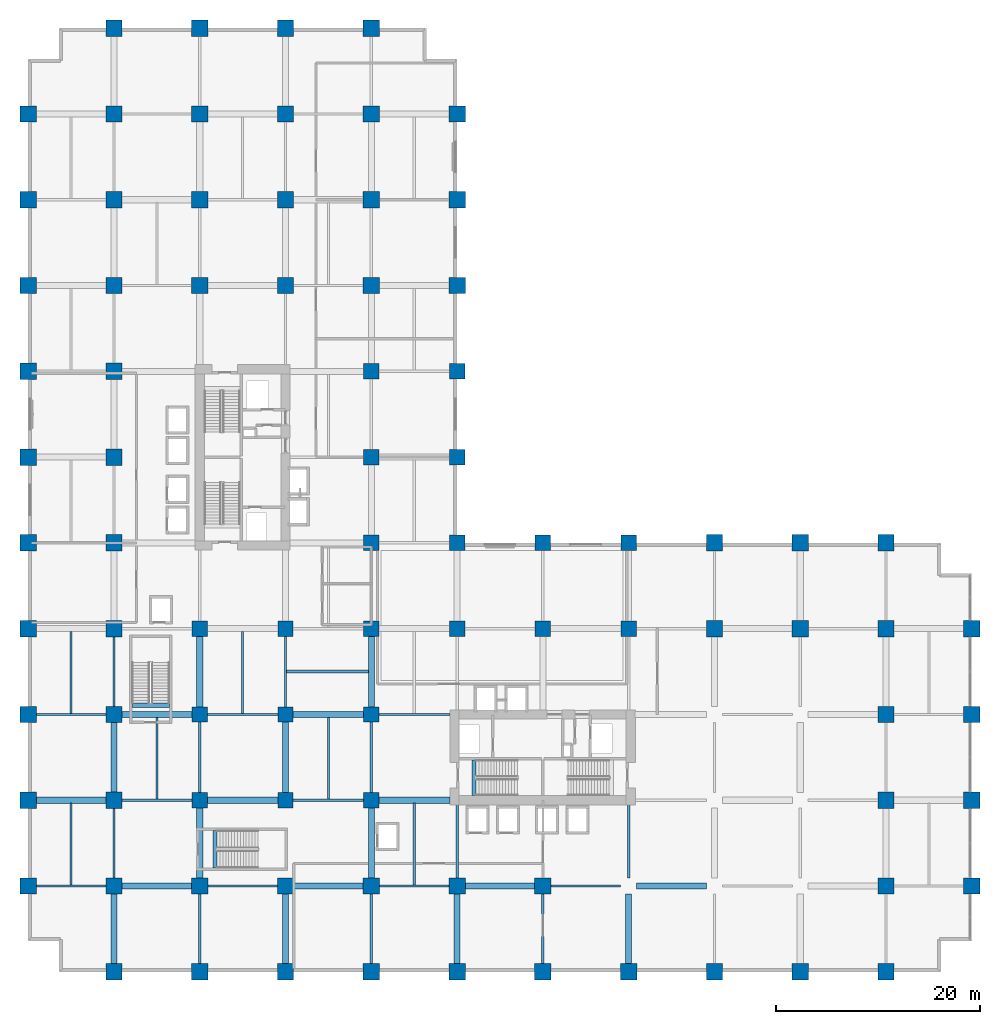
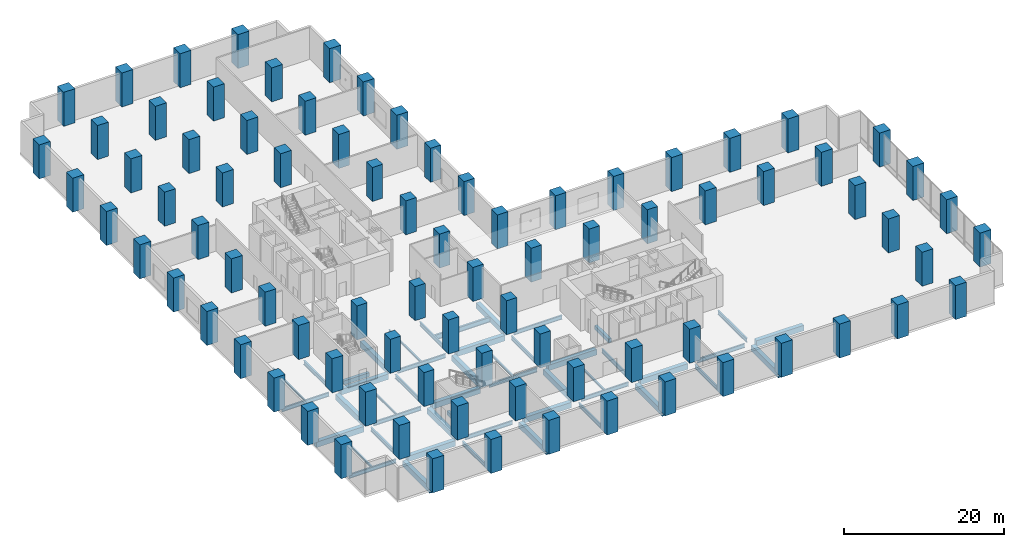
# One storey, part 1 of 19: 84 columns, 48 beams.
"""IFC4 building model written with IfcOpenShell, lengths in metres."""

from ifc_helpers import new_model, si_unit, direction, frame, origin, origin_2d, place, context, subcontext, project, spatial, rectangle, i_section, extrude, material, material_profile, profile_set, type_object, element, save


model = new_model("IFC4")

# Units and contexts
model_context = context("Model", 3, precision=1e-05, world=origin(), true_north=direction((0.0, 1.0)))
body_context = subcontext(model_context, "Body", "Model", "MODEL_VIEW")
ifc_project = project(units=[si_unit("LENGTHUNIT", "METRE"), si_unit("AREAUNIT", "SQUARE_METRE"), si_unit("VOLUMEUNIT", "CUBIC_METRE"), si_unit("PLANEANGLEUNIT", "RADIAN"), si_unit("MASSUNIT", "GRAM", prefix="KILO")], contexts=[model_context])

# Site, building, storey
site_placement = place(None, origin())
site = spatial("IfcSite", under=ifc_project, at=site_placement, CompositionType="ELEMENT")
building_placement = place(site_placement, origin())
building = spatial("IfcBuilding", under=site, at=building_placement, Name="Koriwani Terraces Tower", CompositionType="ELEMENT")
storey_placement = place(building_placement, frame((0.0, 0.0, 15.60009765625)))
storey = spatial("IfcBuildingStorey", under=building, at=storey_placement, Name="L03", CompositionType="ELEMENT", Elevation=15.60009765625)

# Columns
ifc_material_1 = material(Name="Concrete C60/75", Category="concrete")
ifc_material_profile_1 = material_profile(ifc_material_1, rectangle(XDim=1.5, YDim=1.5, at=origin_2d()), Name="Concrete C60/75", Category="LoadBearing")
ifc_profile_set_1 = profile_set([ifc_material_profile_1], Name="Concrete C60/75")
column_type_1 = type_object("IfcColumnType", Name="COL_RC_1500X1500", PredefinedType="COLUMN", material=ifc_profile_set_1)
for number, where, z_axis, x_axis, name in (
    (1, (16.800048828125, 16.800048828125, 0.0), (0.0, 0.0, 1.0), (1.0, 0.0, 0.0), "L03 Column 3/C"),
    (2, (16.800048828125, 25.199951171875, 0.0), (0.0, 0.0, 1.0), (1.0, 0.0, 0.0), "L03 Column 3/D"),
    (3, (16.800048828125, 33.60009765625, 0.0), (0.0, 0.0, 1.0), (1.0, 0.0, 0.0), "L03 Column 3/E"),
    (4, (25.199951171875, 16.800048828125, 0.0), (0.0, 0.0, 1.0), (1.0, 0.0, 0.0), "L03 Column 4/C"),
    (5, (25.199951171875, 25.199951171875, 0.0), (0.0, 0.0, 1.0), (1.0, 0.0, 0.0), "L03 Column 4/D"),
    (6, (25.199951171875, 33.60009765625, 0.0), (0.0, 0.0, 1.0), (1.0, 0.0, 0.0), "L03 Column 4/E"),
    (7, (33.60009765625, 16.800048828125, 0.0), (0.0, 0.0, 1.0), (1.0, 0.0, 0.0), "L03 Column 5/C"),
    (8, (33.60009765625, 25.199951171875, 0.0), (0.0, 0.0, 1.0), (1.0, 0.0, 0.0), "L03 Column 5/D"),
    (9, (33.60009765625, 33.60009765625, 0.0), (0.0, 0.0, 1.0), (1.0, 0.0, 0.0), "L03 Column 5/E"),
    (10, (33.60009765625, 42.0, 0.0), (0.0, 0.0, 1.0), (1.0, 0.0, 0.0), "L03 Column 5/F"),
    (11, (33.60009765625, 50.39990234375, 0.0), (0.0, 0.0, 1.0), (1.0, 0.0, 0.0), "L03 Column 5/G"),
    (12, (33.60009765625, 58.800048828125, 0.0), (0.0, 0.0, 1.0), (1.0, 0.0, 0.0), "L03 Column 5/H"),
    (13, (42.0, 33.60009765625, 0.0), (0.0, 0.0, 1.0), (1.0, 0.0, 0.0), "L03 Column 6/E"),
    (14, (42.0, 42.0, 0.0), (0.0, 0.0, 1.0), (1.0, 0.0, 0.0), "L03 Column 6/F"),
    (15, (42.0, 50.39990234375, 0.0), (0.0, 0.0, 1.0), (1.0, 0.0, 0.0), "L03 Column 6/G"),
    (16, (42.0, 58.800048828125, 0.0), (0.0, 0.0, 1.0), (1.0, 0.0, 0.0), "L03 Column 6/H"),
    (17, (50.39990234375, 33.60009765625, 0.0), (0.0, 0.0, 1.0), (1.0, 0.0, 0.0), "L03 Column 7/E"),
    (18, (50.39990234375, 42.0, 0.0), (0.0, 0.0, 1.0), (1.0, 0.0, 0.0), "L03 Column 7/F"),
    (19, (58.800048828125, 33.60009765625, 0.0), (0.0, 0.0, 1.0), (1.0, 0.0, 0.0), "L03 Column 8/E"),
    (20, (58.800048828125, 42.0, 0.0), (0.0, 0.0, 1.0), (1.0, 0.0, 0.0), "L03 Column 8/F"),
):
    element("IfcColumn", number, at=place(storey_placement, frame(where, z_axis=z_axis, x_axis=x_axis)), inside=storey, type_object=column_type_1, Name=name, PredefinedType="COLUMN", context=body_context, shape_type="SweptSolid", body=[
        extrude(rectangle(XDim=1.5, YDim=1.5, at=origin_2d()), origin(), (0.0, 0.0, 1.0), 5.199951171875),
    ])
ifc_material_profile_2 = material_profile(ifc_material_1, rectangle(XDim=1.60009765625, YDim=1.60009765625, at=origin_2d()), Name="Concrete C60/75", Category="LoadBearing")
ifc_profile_set_2 = profile_set([ifc_material_profile_2], Name="Concrete C60/75")
column_type_2 = type_object("IfcColumnType", Name="COL_RC_1600X1600", PredefinedType="COLUMN", material=ifc_profile_set_2)
for number, where, z_axis, x_axis, name in (
    (21, (0.0, 8.39990234375, 0.0), (0.0, 0.0, 1.0), (1.0, 0.0, 0.0), "L03 Column 1/B"),
    (22, (0.0, 16.800048828125, 0.0), (0.0, 0.0, 1.0), (1.0, 0.0, 0.0), "L03 Column 1/C"),
    (23, (0.0, 25.199951171875, 0.0), (0.0, 0.0, 1.0), (1.0, 0.0, 0.0), "L03 Column 1/D"),
    (24, (0.0, 33.60009765625, 0.0), (0.0, 0.0, 1.0), (1.0, 0.0, 0.0), "L03 Column 1/E"),
    (25, (0.0, 42.0, 0.0), (0.0, 0.0, 1.0), (1.0, 0.0, 0.0), "L03 Column 1/F"),
    (26, (0.0, 50.39990234375, 0.0), (0.0, 0.0, 1.0), (1.0, 0.0, 0.0), "L03 Column 1/G"),
    (27, (0.0, 58.800048828125, 0.0), (0.0, 0.0, 1.0), (1.0, 0.0, 0.0), "L03 Column 1/H"),
    (28, (0.0, 67.199951171875, 0.0), (0.0, 0.0, 1.0), (1.0, 0.0, 0.0), "L03 Column 1/I"),
    (29, (0.0, 75.60009765625, 0.0), (0.0, 0.0, 1.0), (1.0, 0.0, 0.0), "L03 Column 1/J"),
    (30, (0.0, 84.0, 0.0), (0.0, 0.0, 1.0), (1.0, 0.0, 0.0), "L03 Column 1/K"),
    (31, (8.39990234375, 0.0, 0.0), (0.0, 0.0, 1.0), (1.0, 0.0, 0.0), "L03 Column 2/A"),
    (32, (8.39990234375, 8.39990234375, 0.0), (0.0, 0.0, 1.0), (1.0, 0.0, 0.0), "L03 Column 2/B"),
    (33, (8.39990234375, 16.800048828125, 0.0), (0.0, 0.0, 1.0), (1.0, 0.0, 0.0), "L03 Column 2/C"),
    (34, (8.39990234375, 25.199951171875, 0.0), (0.0, 0.0, 1.0), (1.0, 0.0, 0.0), "L03 Column 2/D"),
    (35, (8.39990234375, 33.60009765625, 0.0), (0.0, 0.0, 1.0), (1.0, 0.0, 0.0), "L03 Column 2/E"),
    (36, (8.39990234375, 42.0, 0.0), (0.0, 0.0, 1.0), (1.0, 0.0, 0.0), "L03 Column 2/F"),
    (37, (8.39990234375, 50.39990234375, 0.0), (0.0, 0.0, 1.0), (1.0, 0.0, 0.0), "L03 Column 2/G"),
    (38, (8.39990234375, 58.800048828125, 0.0), (0.0, 0.0, 1.0), (1.0, 0.0, 0.0), "L03 Column 2/H"),
    (39, (8.39990234375, 67.199951171875, 0.0), (0.0, 0.0, 1.0), (1.0, 0.0, 0.0), "L03 Column 2/I"),
    (40, (8.39990234375, 75.60009765625, 0.0), (0.0, 0.0, 1.0), (1.0, 0.0, 0.0), "L03 Column 2/J"),
    (41, (8.39990234375, 84.0, 0.0), (0.0, 0.0, 1.0), (1.0, 0.0, 0.0), "L03 Column 2/K"),
    (42, (8.39990234375, 92.39990234375, 0.0), (0.0, 0.0, 1.0), (1.0, 0.0, 0.0), "L03 Column 2/L"),
    (43, (16.800048828125, 0.0, 0.0), (0.0, 0.0, 1.0), (1.0, 0.0, 0.0), "L03 Column 3/A"),
    (44, (16.800048828125, 8.39990234375, 0.0), (0.0, 0.0, 1.0), (1.0, 0.0, 0.0), "L03 Column 3/B"),
    (45, (16.800048828125, 67.199951171875, 0.0), (0.0, 0.0, 1.0), (1.0, 0.0, 0.0), "L03 Column 3/I"),
    (46, (16.800048828125, 75.60009765625, 0.0), (0.0, 0.0, 1.0), (1.0, 0.0, 0.0), "L03 Column 3/J"),
    (47, (16.800048828125, 84.0, 0.0), (0.0, 0.0, 1.0), (1.0, 0.0, 0.0), "L03 Column 3/K"),
    (48, (16.800048828125, 92.39990234375, 0.0), (0.0, 0.0, 1.0), (1.0, 0.0, 0.0), "L03 Column 3/L"),
    (49, (25.199951171875, 0.0, 0.0), (0.0, 0.0, 1.0), (1.0, 0.0, 0.0), "L03 Column 4/A"),
    (50, (25.199951171875, 8.39990234375, 0.0), (0.0, 0.0, 1.0), (1.0, 0.0, 0.0), "L03 Column 4/B"),
    (51, (25.199951171875, 67.199951171875, 0.0), (0.0, 0.0, 1.0), (1.0, 0.0, 0.0), "L03 Column 4/I"),
    (52, (25.199951171875, 75.60009765625, 0.0), (0.0, 0.0, 1.0), (1.0, 0.0, 0.0), "L03 Column 4/J"),
    (53, (25.199951171875, 84.0, 0.0), (0.0, 0.0, 1.0), (1.0, 0.0, 0.0), "L03 Column 4/K"),
    (54, (25.199951171875, 92.39990234375, 0.0), (0.0, 0.0, 1.0), (1.0, 0.0, 0.0), "L03 Column 4/L"),
    (55, (33.60009765625, 0.0, 0.0), (0.0, 0.0, 1.0), (1.0, 0.0, 0.0), "L03 Column 5/A"),
    (56, (33.60009765625, 8.39990234375, 0.0), (0.0, 0.0, 1.0), (1.0, 0.0, 0.0), "L03 Column 5/B"),
    (57, (33.60009765625, 67.199951171875, 0.0), (0.0, 0.0, 1.0), (1.0, 0.0, 0.0), "L03 Column 5/I"),
    (58, (33.60009765625, 75.60009765625, 0.0), (0.0, 0.0, 1.0), (1.0, 0.0, 0.0), "L03 Column 5/J"),
    (59, (33.60009765625, 84.0, 0.0), (0.0, 0.0, 1.0), (1.0, 0.0, 0.0), "L03 Column 5/K"),
    (60, (33.60009765625, 92.39990234375, 0.0), (0.0, 0.0, 1.0), (1.0, 0.0, 0.0), "L03 Column 5/L"),
    (61, (42.0, 0.0, 0.0), (0.0, 0.0, 1.0), (1.0, 0.0, 0.0), "L03 Column 6/A"),
    (62, (42.0, 8.39990234375, 0.0), (0.0, 0.0, 1.0), (1.0, 0.0, 0.0), "L03 Column 6/B"),
    (63, (42.0, 67.199951171875, 0.0), (0.0, 0.0, 1.0), (1.0, 0.0, 0.0), "L03 Column 6/I"),
    (64, (42.0, 75.60009765625, 0.0), (0.0, 0.0, 1.0), (1.0, 0.0, 0.0), "L03 Column 6/J"),
    (65, (42.0, 84.0, 0.0), (0.0, 0.0, 1.0), (1.0, 0.0, 0.0), "L03 Column 6/K"),
    (66, (50.39990234375, 0.0, 0.0), (0.0, 0.0, 1.0), (1.0, 0.0, 0.0), "L03 Column 7/A"),
    (67, (50.39990234375, 8.39990234375, 0.0), (0.0, 0.0, 1.0), (1.0, 0.0, 0.0), "L03 Column 7/B"),
    (68, (58.800048828125, 0.0, 0.0), (0.0, 0.0, 1.0), (1.0, 0.0, 0.0), "L03 Column 8/A"),
    (69, (67.199951171875, 0.0, 0.0), (0.0, 0.0, 1.0), (1.0, 0.0, 0.0), "L03 Column 9/A"),
    (70, (67.199951171875, 33.60009765625, 0.0), (0.0, 0.0, 1.0), (1.0, 0.0, 0.0), "L03 Column 9/E"),
    (71, (67.199951171875, 42.0, 0.0), (0.0, 0.0, 1.0), (1.0, 0.0, 0.0), "L03 Column 9/F"),
    (72, (75.60009765625, 0.0, 0.0), (0.0, 0.0, 1.0), (1.0, 0.0, 0.0), "L03 Column 10/A"),
    (73, (75.60009765625, 33.60009765625, 0.0), (0.0, 0.0, 1.0), (1.0, 0.0, 0.0), "L03 Column 10/E"),
    (74, (75.60009765625, 42.0, 0.0), (0.0, 0.0, 1.0), (1.0, 0.0, 0.0), "L03 Column 10/F"),
    (75, (84.0, 0.0, 0.0), (0.0, 0.0, 1.0), (1.0, 0.0, 0.0), "L03 Column 11/A"),
    (76, (84.0, 8.39990234375, 0.0), (0.0, 0.0, 1.0), (1.0, 0.0, 0.0), "L03 Column 11/B"),
    (77, (84.0, 16.800048828125, 0.0), (0.0, 0.0, 1.0), (1.0, 0.0, 0.0), "L03 Column 11/C"),
    (78, (84.0, 25.199951171875, 0.0), (0.0, 0.0, 1.0), (1.0, 0.0, 0.0), "L03 Column 11/D"),
    (79, (84.0, 33.60009765625, 0.0), (0.0, 0.0, 1.0), (1.0, 0.0, 0.0), "L03 Column 11/E"),
    (80, (84.0, 42.0, 0.0), (0.0, 0.0, 1.0), (1.0, 0.0, 0.0), "L03 Column 11/F"),
    (81, (92.39990234375, 8.39990234375, 0.0), (0.0, 0.0, 1.0), (1.0, 0.0, 0.0), "L03 Column 12/B"),
    (82, (92.39990234375, 16.800048828125, 0.0), (0.0, 0.0, 1.0), (1.0, 0.0, 0.0), "L03 Column 12/C"),
    (83, (92.39990234375, 25.199951171875, 0.0), (0.0, 0.0, 1.0), (1.0, 0.0, 0.0), "L03 Column 12/D"),
    (84, (92.39990234375, 33.60009765625, 0.0), (0.0, 0.0, 1.0), (1.0, 0.0, 0.0), "L03 Column 12/E"),
):
    element("IfcColumn", number, at=place(storey_placement, frame(where, z_axis=z_axis, x_axis=x_axis)), inside=storey, type_object=column_type_2, Name=name, PredefinedType="COLUMN", context=body_context, shape_type="SweptSolid", body=[
        extrude(rectangle(XDim=1.60009765625, YDim=1.60009765625, at=origin_2d()), origin(), (0.0, 0.0, 1.0), 5.199951171875),
    ])

# Beams
ifc_material_2 = material(Name="Concrete C40/50", Category="concrete")
ifc_material_profile_3 = material_profile(ifc_material_2, rectangle(XDim=0.39990234375, YDim=0.60009765625, at=origin_2d()), Name="Concrete C40/50", Category="LoadBearing")
ifc_profile_set_3 = profile_set([ifc_material_profile_3], Name="Concrete C40/50")
beam_type_1 = type_object("IfcBeamType", Name="BEAM_RC_GRID_400X600", PredefinedType="BEAM", material=ifc_profile_set_3)
beam_1_placement = place(storey_placement, frame((43.655029296875, 17.25, -0.300048828125), z_axis=(0.0, 1.0, 0.0), x_axis=(-1.0, 0.0, 0.0)))
element("IfcBeam", 85, at=beam_1_placement, inside=storey, type_object=beam_type_1, Name="L03 Stairwell Header Trimmer Beam ST-E1", PredefinedType="BEAM", context=body_context, shape_type="SweptSolid", body=[
    extrude(rectangle(XDim=0.39990234375, YDim=0.60009765625, at=origin_2d()), origin(), (0.0, 0.0, 1.0), 3.5),
])
for number, where, z_axis, x_axis, name in (
    (86, (10.14990234375, 26.10498046875, -0.300048828125), (1.0, 0.0, 0.0), (0.0, 1.0, 0.0), "L03 Stairwell Header Trimmer Beam ST-P1"),
    (87, (18.304931640625, 10.14990234375, -0.300048828125), (0.0, 1.0, 0.0), (-1.0, 0.0, 0.0), "L03 Stairwell Header Trimmer Beam ST-P2"),
):
    element("IfcBeam", number, at=place(storey_placement, frame(where, z_axis=z_axis, x_axis=x_axis)), inside=storey, type_object=beam_type_1, Name=name, PredefinedType="BEAM", context=body_context, shape_type="SweptSolid", body=[
        extrude(rectangle(XDim=0.39990234375, YDim=0.60009765625, at=origin_2d()), origin(), (0.0, 0.0, 1.0), 3.7001953125),
    ])
ifc_material_profile_4 = material_profile(ifc_material_1, rectangle(XDim=0.60009765625, YDim=0.85009765625, at=origin_2d()), Name="Concrete C60/75", Category="LoadBearing")
ifc_profile_set_4 = profile_set([ifc_material_profile_4], Name="Concrete C60/75")
beam_type_2 = type_object("IfcBeamType", Name="BEAM_RC_GRID_600X850", PredefinedType="BEAM", material=ifc_profile_set_4)
for number, where, z_axis, x_axis, name in (
    (88, (9.179931640625, 8.39990234375, -0.775146484375), (1.0, 0.0, 0.0), (0.0, 1.0, 0.0), "L03 Grid Beam B (8.4-16.8m)"),
    (89, (25.97998046875, 8.39990234375, -0.775146484375), (1.0, 0.0, 0.0), (0.0, 1.0, 0.0), "L03 Grid Beam B (25.2-33.6m)"),
    (90, (42.780029296875, 8.39990234375, -0.775146484375), (1.0, 0.0, 0.0), (0.0, 1.0, 0.0), "L03 Grid Beam B (42.0-50.4m)"),
):
    element("IfcBeam", number, at=place(storey_placement, frame(where, z_axis=z_axis, x_axis=x_axis)), inside=storey, type_object=beam_type_2, Name=name, PredefinedType="BEAM", context=body_context, shape_type="SweptSolid", body=[
        extrude(rectangle(XDim=0.60009765625, YDim=0.85009765625, at=origin_2d()), origin(), (0.0, 0.0, 1.0), 6.840087890625),
    ])
beam_2_placement = place(storey_placement, frame((59.580078125, 8.39990234375, -0.775146484375), z_axis=(1.0, 0.0, 0.0), x_axis=(0.0, 1.0, 0.0)))
element("IfcBeam", 91, at=beam_2_placement, inside=storey, type_object=beam_type_2, Name="L03 Grid Beam B (58.8-67.2m)", PredefinedType="BEAM", context=body_context, shape_type="SweptSolid", body=[
    extrude(rectangle(XDim=0.60009765625, YDim=0.85009765625, at=origin_2d()), origin(), (0.0, 0.0, 1.0), 6.83984375),
])
beam_3_placement = place(storey_placement, frame((0.780029296875, 16.800048828125, -0.775146484375), z_axis=(1.0, 0.0, 0.0), x_axis=(0.0, 1.0, 0.0)))
element("IfcBeam", 92, at=beam_3_placement, inside=storey, type_object=beam_type_2, Name="L03 Grid Beam C (0.0-8.4m)", PredefinedType="BEAM", context=body_context, shape_type="SweptSolid", body=[
    extrude(rectangle(XDim=0.60009765625, YDim=0.85009765625, at=origin_2d()), origin(), (0.0, 0.0, 1.0), 6.840087890625),
])
beam_4_placement = place(storey_placement, frame((17.530029296875, 16.800048828125, -0.775146484375), z_axis=(1.0, 0.0, 0.0), x_axis=(0.0, 1.0, 0.0)))
element("IfcBeam", 93, at=beam_4_placement, inside=storey, type_object=beam_type_2, Name="L03 Grid Beam C (16.8-25.2m)", PredefinedType="BEAM", context=body_context, shape_type="SweptSolid", body=[
    extrude(rectangle(XDim=0.60009765625, YDim=0.85009765625, at=origin_2d()), origin(), (0.0, 0.0, 1.0), 6.93994140625),
])
beam_5_placement = place(storey_placement, frame((34.330078125, 16.800048828125, -0.775146484375), z_axis=(1.0, 0.0, 0.0), x_axis=(0.0, 1.0, 0.0)))
element("IfcBeam", 94, at=beam_5_placement, inside=storey, type_object=beam_type_2, Name="L03 Grid Beam C (33.6-42.0m)", PredefinedType="BEAM", context=body_context, shape_type="SweptSolid", body=[
    extrude(rectangle(XDim=0.60009765625, YDim=0.85009765625, at=origin_2d()), origin(), (0.0, 0.0, 1.0), 6.989990234375),
])
beam_6_placement = place(storey_placement, frame((9.179931640625, 25.199951171875, -0.775146484375), z_axis=(1.0, 0.0, 0.0), x_axis=(0.0, 1.0, 0.0)))
element("IfcBeam", 95, at=beam_6_placement, inside=storey, type_object=beam_type_2, Name="L03 Grid Beam D (8.4-16.8m)", PredefinedType="BEAM", context=body_context, shape_type="SweptSolid", body=[
    extrude(rectangle(XDim=0.60009765625, YDim=0.85009765625, at=origin_2d()), origin(), (0.0, 0.0, 1.0), 6.89013671875),
])
beam_7_placement = place(storey_placement, frame((25.929931640625, 25.199951171875, -0.775146484375), z_axis=(1.0, 0.0, 0.0), x_axis=(0.0, 1.0, 0.0)))
element("IfcBeam", 96, at=beam_7_placement, inside=storey, type_object=beam_type_2, Name="L03 Grid Beam D (25.2-33.6m)", PredefinedType="BEAM", context=body_context, shape_type="SweptSolid", body=[
    extrude(rectangle(XDim=0.60009765625, YDim=0.85009765625, at=origin_2d()), origin(), (0.0, 0.0, 1.0), 6.940185546875),
])
beam_8_placement = place(storey_placement, frame((8.39990234375, 0.780029296875, -0.775146484375), z_axis=(0.0, 1.0, 0.0), x_axis=(-1.0, 0.0, 0.0)))
element("IfcBeam", 97, at=beam_8_placement, inside=storey, type_object=beam_type_2, Name="L03 Grid Beam 2 (0.0-8.4m)", PredefinedType="BEAM", context=body_context, shape_type="SweptSolid", body=[
    extrude(rectangle(XDim=0.60009765625, YDim=0.85009765625, at=origin_2d()), origin(), (0.0, 0.0, 1.0), 6.840087890625),
])
beam_9_placement = place(storey_placement, frame((8.39990234375, 17.580078125, -0.775146484375), z_axis=(0.0, 1.0, 0.0), x_axis=(-1.0, 0.0, 0.0)))
element("IfcBeam", 98, at=beam_9_placement, inside=storey, type_object=beam_type_2, Name="L03 Grid Beam 2 (16.8-25.2m)", PredefinedType="BEAM", context=body_context, shape_type="SweptSolid", body=[
    extrude(rectangle(XDim=0.60009765625, YDim=0.85009765625, at=origin_2d()), origin(), (0.0, 0.0, 1.0), 6.83984375),
])
beam_10_placement = place(storey_placement, frame((16.800048828125, 9.179931640625, -0.775146484375), z_axis=(0.0, 1.0, 0.0), x_axis=(-1.0, 0.0, 0.0)))
element("IfcBeam", 99, at=beam_10_placement, inside=storey, type_object=beam_type_2, Name="L03 Grid Beam 3 (8.4-16.8m)", PredefinedType="BEAM", context=body_context, shape_type="SweptSolid", body=[
    extrude(rectangle(XDim=0.60009765625, YDim=0.85009765625, at=origin_2d()), origin(), (0.0, 0.0, 1.0), 6.89013671875),
])
beam_11_placement = place(storey_placement, frame((16.800048828125, 25.929931640625, -0.775146484375), z_axis=(0.0, 1.0, 0.0), x_axis=(-1.0, 0.0, 0.0)))
element("IfcBeam", 100, at=beam_11_placement, inside=storey, type_object=beam_type_2, Name="L03 Grid Beam 3 (25.2-33.6m)", PredefinedType="BEAM", context=body_context, shape_type="SweptSolid", body=[
    extrude(rectangle(XDim=0.60009765625, YDim=0.85009765625, at=origin_2d()), origin(), (0.0, 0.0, 1.0), 6.940185546875),
])
beam_12_placement = place(storey_placement, frame((25.199951171875, 0.780029296875, -0.775146484375), z_axis=(0.0, 1.0, 0.0), x_axis=(-1.0, 0.0, 0.0)))
element("IfcBeam", 101, at=beam_12_placement, inside=storey, type_object=beam_type_2, Name="L03 Grid Beam 4 (0.0-8.4m)", PredefinedType="BEAM", context=body_context, shape_type="SweptSolid", body=[
    extrude(rectangle(XDim=0.60009765625, YDim=0.85009765625, at=origin_2d()), origin(), (0.0, 0.0, 1.0), 6.840087890625),
])
beam_13_placement = place(storey_placement, frame((25.199951171875, 17.530029296875, -0.775146484375), z_axis=(0.0, 1.0, 0.0), x_axis=(-1.0, 0.0, 0.0)))
element("IfcBeam", 102, at=beam_13_placement, inside=storey, type_object=beam_type_2, Name="L03 Grid Beam 4 (16.8-25.2m)", PredefinedType="BEAM", context=body_context, shape_type="SweptSolid", body=[
    extrude(rectangle(XDim=0.60009765625, YDim=0.85009765625, at=origin_2d()), origin(), (0.0, 0.0, 1.0), 6.93994140625),
])
beam_14_placement = place(storey_placement, frame((33.60009765625, 9.179931640625, -0.775146484375), z_axis=(0.0, 1.0, 0.0), x_axis=(-1.0, 0.0, 0.0)))
element("IfcBeam", 103, at=beam_14_placement, inside=storey, type_object=beam_type_2, Name="L03 Grid Beam 5 (8.4-16.8m)", PredefinedType="BEAM", context=body_context, shape_type="SweptSolid", body=[
    extrude(rectangle(XDim=0.60009765625, YDim=0.85009765625, at=origin_2d()), origin(), (0.0, 0.0, 1.0), 6.89013671875),
])
beam_15_placement = place(storey_placement, frame((33.60009765625, 25.929931640625, -0.775146484375), z_axis=(0.0, 1.0, 0.0), x_axis=(-1.0, 0.0, 0.0)))
element("IfcBeam", 104, at=beam_15_placement, inside=storey, type_object=beam_type_2, Name="L03 Grid Beam 5 (25.2-33.6m)", PredefinedType="BEAM", context=body_context, shape_type="SweptSolid", body=[
    extrude(rectangle(XDim=0.60009765625, YDim=0.85009765625, at=origin_2d()), origin(), (0.0, 0.0, 1.0), 6.940185546875),
])
for number, where, z_axis, x_axis, name in (
    (105, (42.0, 0.780029296875, -0.775146484375), (0.0, 1.0, 0.0), (-1.0, 0.0, 0.0), "L03 Grid Beam 6 (0.0-8.4m)"),
    (106, (58.800048828125, 0.780029296875, -0.775146484375), (0.0, 1.0, 0.0), (-1.0, 0.0, 0.0), "L03 Grid Beam 8 (0.0-8.4m)"),
):
    element("IfcBeam", number, at=place(storey_placement, frame(where, z_axis=z_axis, x_axis=x_axis)), inside=storey, type_object=beam_type_2, Name=name, PredefinedType="BEAM", context=body_context, shape_type="SweptSolid", body=[
        extrude(rectangle(XDim=0.60009765625, YDim=0.85009765625, at=origin_2d()), origin(), (0.0, 0.0, 1.0), 6.840087890625),
    ])
ifc_material_3 = material(Name="Steel ASTM A572 Grade 50", Category="steel")
ifc_material_profile_5 = material_profile(ifc_material_3, i_section(OverallWidth=0.205078125, OverallDepth=0.31005859375, WebThickness=0.009521484375, FlangeThickness=0.016357421875, at=origin_2d()), Name="Steel ASTM A572 Grade 50", Category="LoadBearing")
ifc_profile_set_5 = profile_set([ifc_material_profile_5], Name="Steel ASTM A572 Grade 50")
beam_type_3 = type_object("IfcBeamType", Name="STEEL_BEAM_W310X74", PredefinedType="JOIST", material=ifc_profile_set_5)
for number, where, z_axis, x_axis, name in (
    (107, (4.199951171875, 8.50439453125, -0.505126953125), (0.0, 1.0, 0.0), (-1.0, 0.0, 0.0), "L03 Secondary Steel Floor Joist X=4.2m"),
    (108, (4.199951171875, 25.304443359375, -0.505126953125), (0.0, 1.0, 0.0), (-1.0, 0.0, 0.0), "L03 Secondary Steel Floor Joist X=4.2m"),
):
    element("IfcBeam", number, at=place(storey_placement, frame(where, z_axis=z_axis, x_axis=x_axis)), inside=storey, type_object=beam_type_3, Name=name, PredefinedType="JOIST", context=body_context, shape_type="SweptSolid", body=[
        extrude(i_section(OverallWidth=0.205078125, OverallDepth=0.31005859375, WebThickness=0.009521484375, FlangeThickness=0.016357421875, at=origin_2d()), origin(), (0.0, 0.0, 1.0), 8.005615234375),
    ])
beam_16_placement = place(storey_placement, frame((12.60009765625, 16.904541015625, -0.505126953125), z_axis=(0.0, 1.0, 0.0), x_axis=(-1.0, 0.0, 0.0)))
element("IfcBeam", 109, at=beam_16_placement, inside=storey, type_object=beam_type_3, Name="L03 Secondary Steel Floor Joist X=12.6m", PredefinedType="JOIST", context=body_context, shape_type="SweptSolid", body=[
    extrude(i_section(OverallWidth=0.205078125, OverallDepth=0.31005859375, WebThickness=0.009521484375, FlangeThickness=0.016357421875, at=origin_2d()), origin(), (0.0, 0.0, 1.0), 8.00537109375),
])
beam_17_placement = place(storey_placement, frame((21.0, 25.304443359375, -0.505126953125), z_axis=(0.0, 1.0, 0.0), x_axis=(-1.0, 0.0, 0.0)))
element("IfcBeam", 110, at=beam_17_placement, inside=storey, type_object=beam_type_3, Name="L03 Secondary Steel Floor Joist X=21.0m", PredefinedType="JOIST", context=body_context, shape_type="SweptSolid", body=[
    extrude(i_section(OverallWidth=0.205078125, OverallDepth=0.31005859375, WebThickness=0.009521484375, FlangeThickness=0.016357421875, at=origin_2d()), origin(), (0.0, 0.0, 1.0), 8.005615234375),
])
beam_18_placement = place(storey_placement, frame((29.39990234375, 16.904541015625, -0.505126953125), z_axis=(0.0, 1.0, 0.0), x_axis=(-1.0, 0.0, 0.0)))
element("IfcBeam", 111, at=beam_18_placement, inside=storey, type_object=beam_type_3, Name="L03 Secondary Steel Floor Joist X=29.4m", PredefinedType="JOIST", context=body_context, shape_type="SweptSolid", body=[
    extrude(i_section(OverallWidth=0.205078125, OverallDepth=0.31005859375, WebThickness=0.009521484375, FlangeThickness=0.016357421875, at=origin_2d()), origin(), (0.0, 0.0, 1.0), 8.00537109375),
])
beam_19_placement = place(storey_placement, frame((37.800048828125, 8.50439453125, -0.505126953125), z_axis=(0.0, 1.0, 0.0), x_axis=(-1.0, 0.0, 0.0)))
element("IfcBeam", 112, at=beam_19_placement, inside=storey, type_object=beam_type_3, Name="L03 Secondary Steel Floor Joist X=37.8m", PredefinedType="JOIST", context=body_context, shape_type="SweptSolid", body=[
    extrude(i_section(OverallWidth=0.205078125, OverallDepth=0.31005859375, WebThickness=0.009521484375, FlangeThickness=0.016357421875, at=origin_2d()), origin(), (0.0, 0.0, 1.0), 8.005615234375),
])
ifc_material_profile_6 = material_profile(ifc_material_3, i_section(OverallWidth=0.22900390625, OverallDepth=0.611083984375, WebThickness=0.0126953125, FlangeThickness=0.022216796875, at=origin_2d()), Name="Steel ASTM A572 Grade 50", Category="LoadBearing")
ifc_profile_set_6 = profile_set([ifc_material_profile_6], Name="Steel ASTM A572 Grade 50")
beam_type_4 = type_object("IfcBeamType", Name="STEEL_BEAM_W610X155", PredefinedType="BEAM", material=ifc_profile_set_6)
beam_20_placement = place(storey_placement, frame((0.780029296875, 8.39990234375, -0.655517578125), z_axis=(1.0, 0.0, 0.0), x_axis=(0.0, 1.0, 0.0)))
element("IfcBeam", 113, at=beam_20_placement, inside=storey, type_object=beam_type_4, Name="L03 Grid Beam B (0.0-8.4m)", PredefinedType="BEAM", context=body_context, shape_type="SweptSolid", body=[
    extrude(i_section(OverallWidth=0.22900390625, OverallDepth=0.611083984375, WebThickness=0.0126953125, FlangeThickness=0.022216796875, at=origin_2d()), origin(), (0.0, 0.0, 1.0), 6.840087890625),
])
beam_21_placement = place(storey_placement, frame((17.580078125, 8.39990234375, -0.655517578125), z_axis=(1.0, 0.0, 0.0), x_axis=(0.0, 1.0, 0.0)))
element("IfcBeam", 114, at=beam_21_placement, inside=storey, type_object=beam_type_4, Name="L03 Grid Beam B (16.8-25.2m)", PredefinedType="BEAM", context=body_context, shape_type="SweptSolid", body=[
    extrude(i_section(OverallWidth=0.22900390625, OverallDepth=0.611083984375, WebThickness=0.0126953125, FlangeThickness=0.022216796875, at=origin_2d()), origin(), (0.0, 0.0, 1.0), 6.83984375),
])
for number, where, z_axis, x_axis, name in (
    (115, (34.3798828125, 8.39990234375, -0.655517578125), (1.0, 0.0, 0.0), (0.0, 1.0, 0.0), "L03 Grid Beam B (33.6-42.0m)"),
    (116, (51.179931640625, 8.39990234375, -0.655517578125), (1.0, 0.0, 0.0), (0.0, 1.0, 0.0), "L03 Grid Beam B (50.4-58.8m)"),
):
    element("IfcBeam", number, at=place(storey_placement, frame(where, z_axis=z_axis, x_axis=x_axis)), inside=storey, type_object=beam_type_4, Name=name, PredefinedType="BEAM", context=body_context, shape_type="SweptSolid", body=[
        extrude(i_section(OverallWidth=0.22900390625, OverallDepth=0.611083984375, WebThickness=0.0126953125, FlangeThickness=0.022216796875, at=origin_2d()), origin(), (0.0, 0.0, 1.0), 6.840087890625),
    ])
beam_22_placement = place(storey_placement, frame((9.179931640625, 16.800048828125, -0.655517578125), z_axis=(1.0, 0.0, 0.0), x_axis=(0.0, 1.0, 0.0)))
element("IfcBeam", 117, at=beam_22_placement, inside=storey, type_object=beam_type_4, Name="L03 Grid Beam C (8.4-16.8m)", PredefinedType="BEAM", context=body_context, shape_type="SweptSolid", body=[
    extrude(i_section(OverallWidth=0.22900390625, OverallDepth=0.611083984375, WebThickness=0.0126953125, FlangeThickness=0.022216796875, at=origin_2d()), origin(), (0.0, 0.0, 1.0), 6.89013671875),
])
beam_23_placement = place(storey_placement, frame((25.929931640625, 16.800048828125, -0.655517578125), z_axis=(1.0, 0.0, 0.0), x_axis=(0.0, 1.0, 0.0)))
element("IfcBeam", 118, at=beam_23_placement, inside=storey, type_object=beam_type_4, Name="L03 Grid Beam C (25.2-33.6m)", PredefinedType="BEAM", context=body_context, shape_type="SweptSolid", body=[
    extrude(i_section(OverallWidth=0.22900390625, OverallDepth=0.611083984375, WebThickness=0.0126953125, FlangeThickness=0.022216796875, at=origin_2d()), origin(), (0.0, 0.0, 1.0), 6.940185546875),
])
beam_24_placement = place(storey_placement, frame((0.780029296875, 25.199951171875, -0.655517578125), z_axis=(1.0, 0.0, 0.0), x_axis=(0.0, 1.0, 0.0)))
element("IfcBeam", 119, at=beam_24_placement, inside=storey, type_object=beam_type_4, Name="L03 Grid Beam D (0.0-8.4m)", PredefinedType="BEAM", context=body_context, shape_type="SweptSolid", body=[
    extrude(i_section(OverallWidth=0.22900390625, OverallDepth=0.611083984375, WebThickness=0.0126953125, FlangeThickness=0.022216796875, at=origin_2d()), origin(), (0.0, 0.0, 1.0), 6.840087890625),
])
beam_25_placement = place(storey_placement, frame((17.530029296875, 25.199951171875, -0.655517578125), z_axis=(1.0, 0.0, 0.0), x_axis=(0.0, 1.0, 0.0)))
element("IfcBeam", 120, at=beam_25_placement, inside=storey, type_object=beam_type_4, Name="L03 Grid Beam D (16.8-25.2m)", PredefinedType="BEAM", context=body_context, shape_type="SweptSolid", body=[
    extrude(i_section(OverallWidth=0.22900390625, OverallDepth=0.611083984375, WebThickness=0.0126953125, FlangeThickness=0.022216796875, at=origin_2d()), origin(), (0.0, 0.0, 1.0), 6.93994140625),
])
beam_26_placement = place(storey_placement, frame((34.330078125, 25.199951171875, -0.655517578125), z_axis=(1.0, 0.0, 0.0), x_axis=(0.0, 1.0, 0.0)))
element("IfcBeam", 121, at=beam_26_placement, inside=storey, type_object=beam_type_4, Name="L03 Grid Beam D (33.6-42.0m)", PredefinedType="BEAM", context=body_context, shape_type="SweptSolid", body=[
    extrude(i_section(OverallWidth=0.22900390625, OverallDepth=0.611083984375, WebThickness=0.0126953125, FlangeThickness=0.022216796875, at=origin_2d()), origin(), (0.0, 0.0, 1.0), 6.989990234375),
])
for number, where, z_axis, x_axis, name in (
    (122, (8.39990234375, 9.179931640625, -0.655517578125), (0.0, 1.0, 0.0), (-1.0, 0.0, 0.0), "L03 Grid Beam 2 (8.4-16.8m)"),
    (123, (8.39990234375, 25.97998046875, -0.655517578125), (0.0, 1.0, 0.0), (-1.0, 0.0, 0.0), "L03 Grid Beam 2 (25.2-33.6m)"),
    (124, (16.800048828125, 0.780029296875, -0.655517578125), (0.0, 1.0, 0.0), (-1.0, 0.0, 0.0), "L03 Grid Beam 3 (0.0-8.4m)"),
):
    element("IfcBeam", number, at=place(storey_placement, frame(where, z_axis=z_axis, x_axis=x_axis)), inside=storey, type_object=beam_type_4, Name=name, PredefinedType="BEAM", context=body_context, shape_type="SweptSolid", body=[
        extrude(i_section(OverallWidth=0.22900390625, OverallDepth=0.611083984375, WebThickness=0.0126953125, FlangeThickness=0.022216796875, at=origin_2d()), origin(), (0.0, 0.0, 1.0), 6.840087890625),
    ])
beam_27_placement = place(storey_placement, frame((16.800048828125, 17.530029296875, -0.655517578125), z_axis=(0.0, 1.0, 0.0), x_axis=(-1.0, 0.0, 0.0)))
element("IfcBeam", 125, at=beam_27_placement, inside=storey, type_object=beam_type_4, Name="L03 Grid Beam 3 (16.8-25.2m)", PredefinedType="BEAM", context=body_context, shape_type="SweptSolid", body=[
    extrude(i_section(OverallWidth=0.22900390625, OverallDepth=0.611083984375, WebThickness=0.0126953125, FlangeThickness=0.022216796875, at=origin_2d()), origin(), (0.0, 0.0, 1.0), 6.93994140625),
])
beam_28_placement = place(storey_placement, frame((25.199951171875, 25.929931640625, -0.655517578125), z_axis=(0.0, 1.0, 0.0), x_axis=(-1.0, 0.0, 0.0)))
element("IfcBeam", 126, at=beam_28_placement, inside=storey, type_object=beam_type_4, Name="L03 Grid Beam 4 (25.2-33.6m)", PredefinedType="BEAM", context=body_context, shape_type="SweptSolid", body=[
    extrude(i_section(OverallWidth=0.22900390625, OverallDepth=0.611083984375, WebThickness=0.0126953125, FlangeThickness=0.022216796875, at=origin_2d()), origin(), (0.0, 0.0, 1.0), 6.940185546875),
])
beam_29_placement = place(storey_placement, frame((33.60009765625, 0.780029296875, -0.655517578125), z_axis=(0.0, 1.0, 0.0), x_axis=(-1.0, 0.0, 0.0)))
element("IfcBeam", 127, at=beam_29_placement, inside=storey, type_object=beam_type_4, Name="L03 Grid Beam 5 (0.0-8.4m)", PredefinedType="BEAM", context=body_context, shape_type="SweptSolid", body=[
    extrude(i_section(OverallWidth=0.22900390625, OverallDepth=0.611083984375, WebThickness=0.0126953125, FlangeThickness=0.022216796875, at=origin_2d()), origin(), (0.0, 0.0, 1.0), 6.840087890625),
])
beam_30_placement = place(storey_placement, frame((33.60009765625, 17.530029296875, -0.655517578125), z_axis=(0.0, 1.0, 0.0), x_axis=(-1.0, 0.0, 0.0)))
element("IfcBeam", 128, at=beam_30_placement, inside=storey, type_object=beam_type_4, Name="L03 Grid Beam 5 (16.8-25.2m)", PredefinedType="BEAM", context=body_context, shape_type="SweptSolid", body=[
    extrude(i_section(OverallWidth=0.22900390625, OverallDepth=0.611083984375, WebThickness=0.0126953125, FlangeThickness=0.022216796875, at=origin_2d()), origin(), (0.0, 0.0, 1.0), 6.93994140625),
])
beam_31_placement = place(storey_placement, frame((42.0, 9.179931640625, -0.655517578125), z_axis=(0.0, 1.0, 0.0), x_axis=(-1.0, 0.0, 0.0)))
element("IfcBeam", 129, at=beam_31_placement, inside=storey, type_object=beam_type_4, Name="L03 Grid Beam 6 (8.4-16.8m)", PredefinedType="BEAM", context=body_context, shape_type="SweptSolid", body=[
    extrude(i_section(OverallWidth=0.22900390625, OverallDepth=0.611083984375, WebThickness=0.0126953125, FlangeThickness=0.022216796875, at=origin_2d()), origin(), (0.0, 0.0, 1.0), 7.190185546875),
])
beam_32_placement = place(storey_placement, frame((50.39990234375, 0.780029296875, -0.655517578125), z_axis=(0.0, 1.0, 0.0), x_axis=(-1.0, 0.0, 0.0)))
element("IfcBeam", 130, at=beam_32_placement, inside=storey, type_object=beam_type_4, Name="L03 Grid Beam 7 (0.0-8.4m)", PredefinedType="BEAM", context=body_context, shape_type="SweptSolid", body=[
    extrude(i_section(OverallWidth=0.22900390625, OverallDepth=0.611083984375, WebThickness=0.0126953125, FlangeThickness=0.022216796875, at=origin_2d()), origin(), (0.0, 0.0, 1.0), 6.840087890625),
])
beam_33_placement = place(storey_placement, frame((58.800048828125, 9.179931640625, -0.655517578125), z_axis=(0.0, 1.0, 0.0), x_axis=(-1.0, 0.0, 0.0)))
element("IfcBeam", 131, at=beam_33_placement, inside=storey, type_object=beam_type_4, Name="L03 Grid Beam 8 (8.4-16.8m)", PredefinedType="BEAM", context=body_context, shape_type="SweptSolid", body=[
    extrude(i_section(OverallWidth=0.22900390625, OverallDepth=0.611083984375, WebThickness=0.0126953125, FlangeThickness=0.022216796875, at=origin_2d()), origin(), (0.0, 0.0, 1.0), 7.190185546875),
])
ifc_material_profile_7 = material_profile(ifc_material_3, i_section(OverallWidth=0.26806640625, OverallDepth=0.77001953125, WebThickness=0.015625, FlangeThickness=0.025390625, at=origin_2d()), Name="Steel ASTM A572 Grade 50", Category="LoadBearing")
ifc_profile_set_7 = profile_set([ifc_material_profile_7], Name="Steel ASTM A572 Grade 50")
beam_type_5 = type_object("IfcBeamType", Name="STEEL_BEAM_W760X196", PredefinedType="USERDEFINED", material=ifc_profile_set_7)
beam_34_placement = place(storey_placement, frame((25.280029296875, 29.39990234375, -0.735107421875), z_axis=(1.0, 0.0, 0.0), x_axis=(0.0, 1.0, 0.0)))
element("IfcBeam", 132, at=beam_34_placement, inside=storey, type_object=beam_type_5, Name="L03 Podium Collector Steel Girder (STEEL_BEAM_W760X196)", ObjectType="GIRDER", PredefinedType="USERDEFINED", context=body_context, shape_type="SweptSolid", body=[
    extrude(i_section(OverallWidth=0.26806640625, OverallDepth=0.77001953125, WebThickness=0.015625, FlangeThickness=0.025390625, at=origin_2d()), origin(), (0.0, 0.0, 1.0), 8.239990234375),
])

save(model, "model.ifc")
